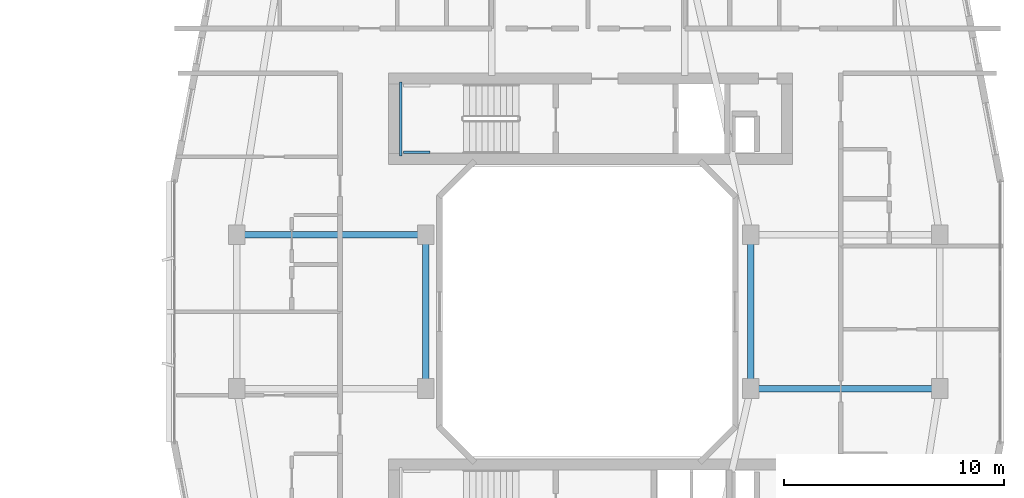
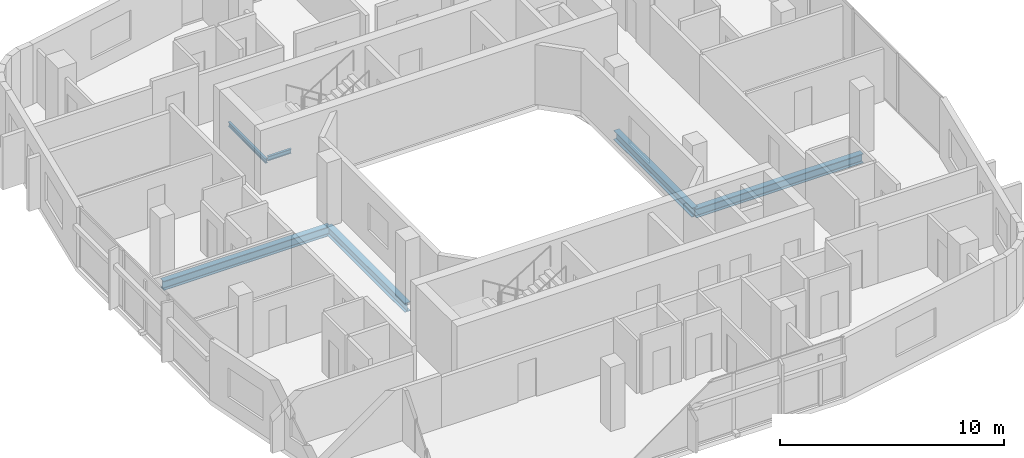
# One storey, part 9 of 26: 6 beams.
"""IFC4 building model written with IfcOpenShell, lengths in metres."""

from ifc_helpers import new_model, si_unit, derived_unit, direction, frame, origin, origin_2d, place, context, subcontext, project, spatial, i_section, extrude, material, material_profile, profile_set, type_object, element, save


model = new_model("IFC4")

# Units and contexts
model_context = context("Model", 3, precision=1e-05, world=origin(), true_north=direction((0.0, 1.0)))
body_context = subcontext(model_context, "Body", "Model", "MODEL_VIEW")
ifc_project = project(units=[si_unit("LENGTHUNIT", "METRE"), si_unit("AREAUNIT", "SQUARE_METRE"), si_unit("VOLUMEUNIT", "CUBIC_METRE"), si_unit("PLANEANGLEUNIT", "RADIAN"), si_unit("MASSUNIT", "GRAM", prefix="KILO"), derived_unit("THERMALTRANSMITTANCEUNIT", [(si_unit("POWERUNIT", "WATT"), 1), (si_unit("LENGTHUNIT", "METRE"), -2), (si_unit("THERMODYNAMICTEMPERATUREUNIT", "KELVIN"), -1)])], contexts=[model_context])

# Site, building, storey
site_placement = place(None, origin())
site = spatial("IfcSite", under=ifc_project, at=site_placement, CompositionType="ELEMENT")
building_placement = place(site_placement, origin())
building = spatial("IfcBuilding", under=site, at=building_placement, Name="Kivonza Crest Hotel", CompositionType="ELEMENT")
storey_placement = place(building_placement, frame((0.0, 0.0, 62.5)))
storey = spatial("IfcBuildingStorey", under=building, at=storey_placement, Name="L16", CompositionType="ELEMENT", Elevation=62.5)

# Beams
ifc_material = material(Name="Steel S355", Category="steel")
ifc_material_profile_1 = material_profile(ifc_material, i_section(OverallWidth=0.300048828125, OverallDepth=0.5, WebThickness=0.014404296875, FlangeThickness=0.028076171875, FilletRadius=0.027099609375, at=origin_2d()), Name="HEB 500")
ifc_profile_set_1 = profile_set([ifc_material_profile_1], Name="Steel S355")
beam_type_1 = type_object("IfcBeamType", Name="BM-HEB500", PredefinedType="BEAM", material=ifc_profile_set_1)
beam_1_placement = place(storey_placement, frame((61.0, 28.5, -0.5), z_axis=(1.0, 0.0, 0.0), x_axis=(0.0, 1.0, 0.0)))
element("IfcBeam", 1, at=beam_1_placement, inside=storey, type_object=beam_type_1, Name="Companion Tower T2 L16 girder W2-WL2", PredefinedType="BEAM", context=body_context, shape_type="SweptSolid", body=[
    extrude(i_section(OverallWidth=0.300048828125, OverallDepth=0.5, WebThickness=0.014404296875, FlangeThickness=0.028076171875, FilletRadius=0.027099609375, at=origin_2d()), origin(), (0.0, 0.0, 1.0), 8.60009765625),
])
beam_2_placement = place(storey_placement, frame((69.60009765625, 21.5, -0.5), z_axis=(0.0, 1.0, 0.0), x_axis=(-1.0, 0.0, 0.0)))
element("IfcBeam", 2, at=beam_2_placement, inside=storey, type_object=beam_type_1, Name="Companion Tower T2 L16 girder WL1-WL2", PredefinedType="BEAM", context=body_context, shape_type="SweptSolid", body=[
    extrude(i_section(OverallWidth=0.300048828125, OverallDepth=0.5, WebThickness=0.014404296875, FlangeThickness=0.028076171875, FilletRadius=0.027099609375, at=origin_2d()), origin(), (0.0, 0.0, 1.0), 7.0),
])
beam_3_placement = place(storey_placement, frame((84.39990234375, 21.5, -0.5), z_axis=(1.0, 0.0, 0.0), x_axis=(0.0, 1.0, 0.0)))
element("IfcBeam", 3, at=beam_3_placement, inside=storey, type_object=beam_type_1, Name="Companion Tower T2 L16 girder WR1-E1", PredefinedType="BEAM", context=body_context, shape_type="SweptSolid", body=[
    extrude(i_section(OverallWidth=0.300048828125, OverallDepth=0.5, WebThickness=0.014404296875, FlangeThickness=0.028076171875, FilletRadius=0.027099609375, at=origin_2d()), origin(), (0.0, 0.0, 1.0), 8.60009765625),
])
beam_4_placement = place(storey_placement, frame((84.39990234375, 21.5, -0.5), z_axis=(0.0, 1.0, 0.0), x_axis=(-1.0, 0.0, 0.0)))
element("IfcBeam", 4, at=beam_4_placement, inside=storey, type_object=beam_type_1, Name="Companion Tower T2 L16 girder WR1-WR2", PredefinedType="BEAM", context=body_context, shape_type="SweptSolid", body=[
    extrude(i_section(OverallWidth=0.300048828125, OverallDepth=0.5, WebThickness=0.014404296875, FlangeThickness=0.028076171875, FilletRadius=0.027099609375, at=origin_2d()), origin(), (0.0, 0.0, 1.0), 7.0),
])
ifc_material_profile_2 = material_profile(ifc_material, i_section(OverallWidth=0.1201171875, OverallDepth=0.239990234375, WebThickness=0.006103515625, FlangeThickness=0.009765625, FilletRadius=0.014892578125, at=origin_2d()), Name="IPE 240")
ifc_profile_set_2 = profile_set([ifc_material_profile_2], Name="Steel S355")
beam_type_2 = type_object("IfcBeamType", Name="BM-LLDG-240", PredefinedType="BEAM", material=ifc_profile_set_2)
beam_5_placement = place(storey_placement, frame((68.4599609375, 32.10009765625, 1.429931640625), z_axis=(0.0, 1.0, 0.0), x_axis=(-1.0, 0.0, 0.0)))
element("IfcBeam", 5, at=beam_5_placement, inside=storey, type_object=beam_type_2, Name="Stair ST-T2-N L16 West landing corbel", PredefinedType="BEAM", context=body_context, shape_type="SweptSolid", body=[
    extrude(i_section(OverallWidth=0.1201171875, OverallDepth=0.239990234375, WebThickness=0.006103515625, FlangeThickness=0.009765625, FilletRadius=0.014892578125, at=origin_2d()), origin(), (0.0, 0.0, 1.0), 3.35986328125),
])
beam_6_placement = place(storey_placement, frame((68.590087890625, 32.260009765625, 1.429931640625), z_axis=(1.0, 0.0, 0.0), x_axis=(0.0, 1.0, 0.0)))
element("IfcBeam", 6, at=beam_6_placement, inside=storey, type_object=beam_type_2, Name="Stair ST-T2-N L16 South landing corbel", PredefinedType="BEAM", context=body_context, shape_type="SweptSolid", body=[
    extrude(i_section(OverallWidth=0.1201171875, OverallDepth=0.239990234375, WebThickness=0.006103515625, FlangeThickness=0.009765625, FilletRadius=0.014892578125, at=origin_2d()), origin(), (0.0, 0.0, 1.0), 1.2099609375),
])

save(model, "model.ifc")
